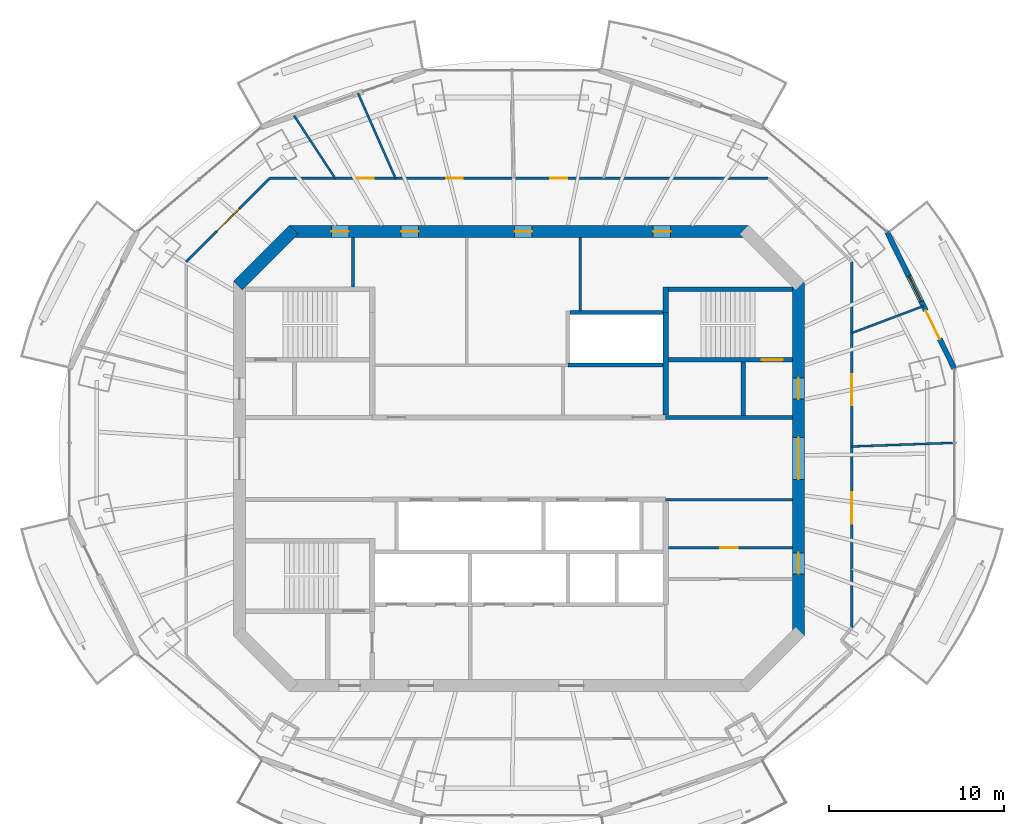
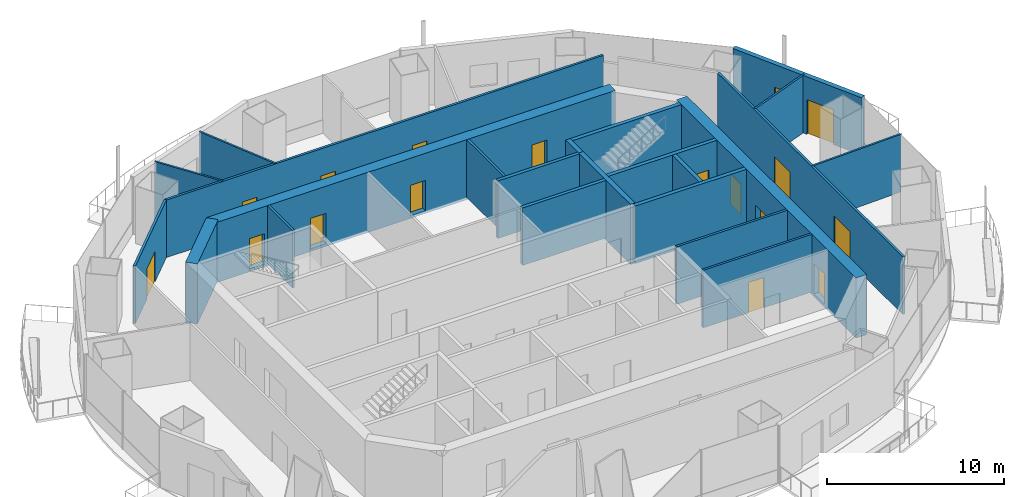
# One storey, part 10 of 16: 23 walls, 16 doors, 1 window, 17 openings.
"""IFC4 building model written with IfcOpenShell, lengths in metres."""

from ifc_helpers import new_model, si_unit, direction, frame, frame_2d, origin, place, context, subcontext, project, spatial, rectangle, extrude, material, layer, layer_set, type_object, element, fill, save


model = new_model("IFC4")

# Units and contexts
model_context = context("Model", 3, precision=1e-05, world=origin(), true_north=direction((0.0, 1.0)))
body_context = subcontext(model_context, "Body", "Model", "MODEL_VIEW")
ifc_project = project(units=[si_unit("LENGTHUNIT", "METRE"), si_unit("AREAUNIT", "SQUARE_METRE"), si_unit("VOLUMEUNIT", "CUBIC_METRE"), si_unit("PLANEANGLEUNIT", "RADIAN"), si_unit("MASSUNIT", "GRAM", prefix="KILO")], contexts=[model_context])

# Site, building, storey
site_placement = place(None, origin())
site = spatial("IfcSite", under=ifc_project, at=site_placement, CompositionType="ELEMENT")
building_placement = place(site_placement, origin())
building = spatial("IfcBuilding", under=site, at=building_placement, Name="Marenthal Gate Tower", CompositionType="ELEMENT")
storey_placement = place(building_placement, frame((0.0, 0.0, 379.949951171875)))
storey = spatial("IfcBuildingStorey", under=building, at=storey_placement, Name="L86", CompositionType="ELEMENT", Elevation=379.949951171875)

# Wall, openings, doors
ifc_material_1 = material(Name="Concrete 60 MPa", Category="concrete")
ifc_layer_1 = layer(ifc_material_1, 0.699951171875)
ifc_layer_set_1 = layer_set([ifc_layer_1], Name="Core shear wall 700")
wall_type_1 = type_object("IfcWallType", Name="Core shear wall 700", PredefinedType="SHEAR", material=ifc_layer_set_1)
wall_1_placement = place(storey_placement, frame((16.0, -10.14501953125, -0.179931640625), z_axis=(0.0, 0.0, 1.0), x_axis=(0.0, 1.0, 0.0)))
wall_1 = element("IfcWall", 1, at=wall_1_placement, inside=storey, type_object=wall_type_1, Name="Core wall 02", PredefinedType="SHEAR", context=body_context, shape_type="SweptSolid", body=[
    extrude(rectangle(XDim=20.2900390625, YDim=0.699951171875, at=frame_2d((10.14501953125, 0.0))), origin(), (0.0, 0.0, 1.0), 4.14990234375),
])
opening_1_placement = place(wall_1_placement, frame((8.945068359375, 0.0, 0.179931640625)))
opening_1 = element("IfcOpeningElement", 2, at=opening_1_placement, cuts=wall_1, Name="Opening D003.02", PredefinedType="OPENING", context=body_context, shape_type="SweptSolid", body=[
    extrude(rectangle(XDim=2.39990234375, YDim=2.10009765625, at=frame_2d((1.199951171875, 1.050048828125))), frame((0.0, 0.35986328125, 0.0), z_axis=(0.0, -1.0, 0.0), x_axis=(1.0, 0.0, 0.0)), (0.0, 0.0, 1.0), 0.719970703125),
])
opening_2_placement = place(wall_1_placement, frame((13.544921875, 0.0, 0.179931640625)))
opening_2 = element("IfcOpeningElement", 3, at=opening_2_placement, cuts=wall_1, Name="Opening D001.05", PredefinedType="OPENING", context=body_context, shape_type="SweptSolid", body=[
    extrude(rectangle(XDim=1.199951171875, YDim=2.10009765625, at=frame_2d((0.60009765625, 1.050048828125))), frame((0.0, 0.35986328125, 0.0), z_axis=(0.0, -1.0, 0.0), x_axis=(1.0, 0.0, 0.0)), (0.0, 0.0, 1.0), 0.719970703125),
])
opening_3_placement = place(wall_1_placement, frame((3.544921875, 0.0, 0.179931640625)))
opening_3 = element("IfcOpeningElement", 4, at=opening_3_placement, cuts=wall_1, Name="Opening D006.01", PredefinedType="OPENING", context=body_context, shape_type="SweptSolid", body=[
    extrude(rectangle(XDim=1.199951171875, YDim=2.10009765625, at=frame_2d((0.60009765625, 1.050048828125))), frame((0.0, 0.35986328125, 0.0), z_axis=(0.0, -1.0, 0.0), x_axis=(1.0, 0.0, 0.0)), (0.0, 0.0, 1.0), 0.719970703125),
])
ifc_material_2 = material(Name="Steel fire door", Category="steel")
door_type_1 = type_object("IfcDoorType", Name="Double fire door FD 45 2400 x 2100", OperationType="DOUBLE_DOOR_SINGLE_SWING", PredefinedType="DOOR", material=ifc_material_2)
door_1_placement = place(opening_1_placement, origin())
door_1 = element("IfcDoor", 5, at=door_1_placement, inside=storey, type_object=door_type_1, Name="Door D003.02", OperationType="DOUBLE_DOOR_SINGLE_SWING", OverallHeight=2.10009765625, OverallWidth=2.39990234375, PredefinedType="DOOR", context=body_context, shape_type="SweptSolid", body=[
    extrude(rectangle(XDim=2.39990234375, YDim=2.10009765625, at=frame_2d((1.199951171875, 1.050048828125))), frame((0.0, 0.02490234375, 0.0), z_axis=(0.0, -1.0, 0.0), x_axis=(1.0, 0.0, 0.0)), (0.0, 0.0, 1.0), 0.050048828125),
])
fill(opening_1, door_1)
ifc_material_3 = material(Name="Steel fire door", Category="steel")
door_type_2 = type_object("IfcDoorType", Name="Fire door FD 45 1200 x 2100", OperationType="NOTDEFINED", PredefinedType="DOOR", material=ifc_material_3)
door_2_placement = place(opening_3_placement, origin())
door_2 = element("IfcDoor", 6, at=door_2_placement, inside=storey, type_object=door_type_2, Name="Door D006.01", OperationType="SINGLE_SWING_RIGHT", OverallHeight=2.10009765625, OverallWidth=1.199951171875, PredefinedType="DOOR", context=body_context, shape_type="SweptSolid", body=[
    extrude(rectangle(XDim=1.199951171875, YDim=2.10009765625, at=frame_2d((0.60009765625, 1.050048828125))), frame((0.0, 0.02490234375, 0.0), z_axis=(0.0, -1.0, 0.0), x_axis=(1.0, 0.0, 0.0)), (0.0, 0.0, 1.0), 0.050048828125),
])
fill(opening_3, door_2)
ifc_material_4 = material(Name="Steel fire door", Category="steel")
door_type_3 = type_object("IfcDoorType", Name="Fire door FD 90 1200 x 2100", OperationType="NOTDEFINED", PredefinedType="DOOR", material=ifc_material_4)
door_3_placement = place(opening_2_placement, origin())
door_3 = element("IfcDoor", 7, at=door_3_placement, inside=storey, type_object=door_type_3, Name="Door D001.05", OperationType="SINGLE_SWING_RIGHT", OverallHeight=2.10009765625, OverallWidth=1.199951171875, PredefinedType="DOOR", context=body_context, shape_type="SweptSolid", body=[
    extrude(rectangle(XDim=1.199951171875, YDim=2.10009765625, at=frame_2d((0.60009765625, 1.050048828125))), frame((0.0, 0.02490234375, 0.0), z_axis=(0.0, -1.0, 0.0), x_axis=(1.0, 0.0, 0.0)), (0.0, 0.0, 1.0), 0.050048828125),
])
fill(opening_2, door_3)

wall_2_placement = place(storey_placement, frame((13.14501953125, 13.0, -0.179931640625), z_axis=(0.0, 0.0, 1.0), x_axis=(-1.0, 0.0, 0.0)))
wall_2 = element("IfcWall", 8, at=wall_2_placement, inside=storey, type_object=wall_type_1, Name="Core wall 04", PredefinedType="SHEAR", context=body_context, shape_type="SweptSolid", body=[
    extrude(rectangle(XDim=26.2900390625, YDim=0.699951171875, at=frame_2d((13.14501953125, 0.0))), origin(), (0.0, 0.0, 1.0), 4.14990234375),
])
opening_4_placement = place(wall_2_placement, frame((22.889892578125, 0.0, 0.179931640625)))
opening_4 = element("IfcOpeningElement", 9, at=opening_4_placement, cuts=wall_2, Name="Opening D005.03", PredefinedType="OPENING", context=body_context, shape_type="SweptSolid", body=[
    extrude(rectangle(XDim=1.0, YDim=2.10009765625, at=frame_2d((0.5, 1.050048828125))), frame((0.0, 0.35986328125, 0.0), z_axis=(0.0, -1.0, 0.0), x_axis=(1.0, 0.0, 0.0)), (0.0, 0.0, 1.0), 0.719970703125),
])
opening_5_placement = place(wall_2_placement, frame((18.89501953125, 0.0, 0.179931640625)))
opening_5 = element("IfcOpeningElement", 10, at=opening_5_placement, cuts=wall_2, Name="Opening D005.04", PredefinedType="OPENING", context=body_context, shape_type="SweptSolid", body=[
    extrude(rectangle(XDim=1.0, YDim=2.10009765625, at=frame_2d((0.5, 1.050048828125))), frame((0.0, 0.35986328125, 0.0), z_axis=(0.0, -1.0, 0.0), x_axis=(1.0, 0.0, 0.0)), (0.0, 0.0, 1.0), 0.719970703125),
])
opening_6_placement = place(wall_2_placement, frame((12.39501953125, 0.0, 0.179931640625)))
opening_6 = element("IfcOpeningElement", 11, at=opening_6_placement, cuts=wall_2, Name="Opening D005.05", PredefinedType="OPENING", context=body_context, shape_type="SweptSolid", body=[
    extrude(rectangle(XDim=1.0, YDim=2.10009765625, at=frame_2d((0.5, 1.050048828125))), frame((0.0, 0.35986328125, 0.0), z_axis=(0.0, -1.0, 0.0), x_axis=(1.0, 0.0, 0.0)), (0.0, 0.0, 1.0), 0.719970703125),
])
opening_7_placement = place(wall_2_placement, frame((4.46728515625, 0.0, 0.179931640625)))
opening_7 = element("IfcOpeningElement", 12, at=opening_7_placement, cuts=wall_2, Name="Opening D005.06", PredefinedType="OPENING", context=body_context, shape_type="SweptSolid", body=[
    extrude(rectangle(XDim=1.0, YDim=2.10009765625, at=frame_2d((0.5, 1.050048828125))), frame((0.0, 0.35986328125, 0.0), z_axis=(0.0, -1.0, 0.0), x_axis=(1.0, 0.0, 0.0)), (0.0, 0.0, 1.0), 0.719970703125),
])
ifc_material_5 = material(Name="Steel fire door", Category="steel")
door_type_4 = type_object("IfcDoorType", Name="Fire door FD 45 1000 x 2100", OperationType="NOTDEFINED", PredefinedType="DOOR", material=ifc_material_5)
door_4_placement = place(opening_4_placement, origin())
door_4 = element("IfcDoor", 13, at=door_4_placement, inside=storey, type_object=door_type_4, Name="Door D005.03", OperationType="SINGLE_SWING_RIGHT", OverallHeight=2.10009765625, OverallWidth=1.0, PredefinedType="DOOR", context=body_context, shape_type="SweptSolid", body=[
    extrude(rectangle(XDim=1.0, YDim=2.10009765625, at=frame_2d((0.5, 1.050048828125))), frame((0.0, 0.02490234375, 0.0), z_axis=(0.0, -1.0, 0.0), x_axis=(1.0, 0.0, 0.0)), (0.0, 0.0, 1.0), 0.050048828125),
])
fill(opening_4, door_4)
door_5_placement = place(opening_5_placement, origin())
door_5 = element("IfcDoor", 14, at=door_5_placement, inside=storey, type_object=door_type_4, Name="Door D005.04", OperationType="SINGLE_SWING_RIGHT", OverallHeight=2.10009765625, OverallWidth=1.0, PredefinedType="DOOR", context=body_context, shape_type="SweptSolid", body=[
    extrude(rectangle(XDim=1.0, YDim=2.10009765625, at=frame_2d((0.5, 1.050048828125))), frame((0.0, 0.02490234375, 0.0), z_axis=(0.0, -1.0, 0.0), x_axis=(1.0, 0.0, 0.0)), (0.0, 0.0, 1.0), 0.050048828125),
])
fill(opening_5, door_5)
door_6_placement = place(opening_6_placement, origin())
door_6 = element("IfcDoor", 15, at=door_6_placement, inside=storey, type_object=door_type_4, Name="Door D005.05", OperationType="SINGLE_SWING_RIGHT", OverallHeight=2.10009765625, OverallWidth=1.0, PredefinedType="DOOR", context=body_context, shape_type="SweptSolid", body=[
    extrude(rectangle(XDim=1.0, YDim=2.10009765625, at=frame_2d((0.5, 1.050048828125))), frame((0.0, 0.02490234375, 0.0), z_axis=(0.0, -1.0, 0.0), x_axis=(1.0, 0.0, 0.0)), (0.0, 0.0, 1.0), 0.050048828125),
])
fill(opening_6, door_6)
door_7_placement = place(opening_7_placement, origin())
door_7 = element("IfcDoor", 16, at=door_7_placement, inside=storey, type_object=door_type_4, Name="Door D005.06", OperationType="SINGLE_SWING_RIGHT", OverallHeight=2.10009765625, OverallWidth=1.0, PredefinedType="DOOR", context=body_context, shape_type="SweptSolid", body=[
    extrude(rectangle(XDim=1.0, YDim=2.10009765625, at=frame_2d((0.5, 1.050048828125))), frame((0.0, 0.02490234375, 0.0), z_axis=(0.0, -1.0, 0.0), x_axis=(1.0, 0.0, 0.0)), (0.0, 0.0, 1.0), 0.050048828125),
])
fill(opening_7, door_7)

# Walls
wall_3_placement = place(storey_placement, frame((-12.8974609375, 13.1025390625, -0.179931640625), z_axis=(0.0, 0.0, 1.0), x_axis=(-0.707106781187, -0.707106781187, 0.0)))
element("IfcWall", 17, at=wall_3_placement, inside=storey, type_object=wall_type_1, Name="Core wall 05", PredefinedType="SHEAR", context=body_context, shape_type="SweptSolid", body=[
    extrude(rectangle(XDim=4.53271484375, YDim=0.699951171875, at=frame_2d((2.266357421875, 0.0))), origin(), (0.0, 0.0, 1.0), 4.14990234375),
])
ifc_material_6 = material(Name="Concrete 50 MPa", Category="concrete")
ifc_layer_2 = layer(ifc_material_6, 0.300048828125)
ifc_layer_set_2 = layer_set([ifc_layer_2], Name="Hoistway shear wall 300")
wall_type_2 = type_object("IfcWallType", Name="Hoistway shear wall 300", PredefinedType="SHEAR", material=ifc_layer_set_2)
wall_4_placement = place(storey_placement, frame((8.39990234375, 2.5, -0.179931640625), z_axis=(0.0, 0.0, 1.0), x_axis=(0.0, 1.0, 0.0)))
element("IfcWall", 18, at=wall_4_placement, inside=storey, type_object=wall_type_2, Name="Hoistway wall 49", PredefinedType="SHEAR", context=body_context, shape_type="SweptSolid", body=[
    extrude(rectangle(XDim=5.85009765625, YDim=0.300048828125, at=frame_2d((2.925048828125, 0.0))), origin(), (0.0, 0.0, 1.0), 4.14990234375),
])
ifc_material_7 = material(Name="Concrete 40 MPa", Category="concrete")
ifc_layer_3 = layer(ifc_material_7, 0.219970703125)
ifc_layer_set_3 = layer_set([ifc_layer_3], Name="Hoistway wall 220")
wall_type_3 = type_object("IfcWallType", Name="Hoistway wall 220", PredefinedType="STANDARD", material=ifc_layer_set_3)
wall_5_placement = place(storey_placement, frame((2.800048828125, 5.35009765625, 0.0), z_axis=(0.0, 0.0, 1.0), x_axis=(1.0, 0.0, 0.0)))
element("IfcWall", 19, at=wall_5_placement, inside=storey, type_object=wall_type_3, Name="Hoistway wall 23", PredefinedType="STANDARD", context=body_context, shape_type="SweptSolid", body=[
    extrude(rectangle(XDim=5.449951171875, YDim=0.219970703125, at=frame_2d((2.72509765625, 0.0))), origin(), (0.0, 0.0, 1.0), 3.969970703125),
])
wall_6_placement = place(storey_placement, frame((2.909912109375, 8.35009765625, 0.0), z_axis=(0.0, 0.0, 1.0), x_axis=(1.0, 0.0, 0.0)))
element("IfcWall", 20, at=wall_6_placement, inside=storey, type_object=wall_type_3, Name="Hoistway wall 26", PredefinedType="STANDARD", context=body_context, shape_type="SweptSolid", body=[
    extrude(rectangle(XDim=5.340087890625, YDim=0.219970703125, at=frame_2d((2.669921875, 0.0))), origin(), (0.0, 0.0, 1.0), 3.969970703125),
])
ifc_material_8 = material(Name="Gypsum board on steel studs", Category="steel")
ifc_layer_4 = layer(ifc_material_8, 0.1201171875)
ifc_layer_set_4 = layer_set([ifc_layer_4], Name="Partition 120")
wall_type_4 = type_object("IfcWallType", Name="Partition 120", PredefinedType="PARTITIONING", material=ifc_layer_set_4)
wall_7_placement = place(storey_placement, frame((-10.527587890625, 16.050048828125, 0.0), z_axis=(0.0, 0.0, 1.0), x_axis=(-0.548477171189, 0.836165529477, 0.0)))
element("IfcWall", 21, at=wall_7_placement, inside=storey, type_object=wall_type_4, Name="Partition wall 60", PredefinedType="PARTITIONING", context=body_context, shape_type="SweptSolid", body=[
    extrude(rectangle(XDim=4.283935546875, YDim=0.1201171875, at=frame_2d((2.14208984375, 0.0))), origin(), (0.0, 0.0, 1.0), 3.969970703125),
])
wall_8_placement = place(storey_placement, frame((-7.07275390625, 16.050048828125, 0.0), z_axis=(0.0, 0.0, 1.0), x_axis=(-0.403253099631, 0.915088486234, 0.0)))
element("IfcWall", 22, at=wall_8_placement, inside=storey, type_object=wall_type_4, Name="Partition wall 61", PredefinedType="PARTITIONING", context=body_context, shape_type="SweptSolid", body=[
    extrude(rectangle(XDim=5.310791015625, YDim=0.1201171875, at=frame_2d((2.6552734375, 0.0))), origin(), (0.0, 0.0, 1.0), 3.969970703125),
])
wall_9_placement = place(storey_placement, frame((19.050048828125, 0.687744140625, 0.0), z_axis=(0.0, 0.0, 1.0), x_axis=(0.999348759749, 0.036084018458, 0.0)))
element("IfcWall", 23, at=wall_9_placement, inside=storey, type_object=wall_type_4, Name="Partition wall 74", PredefinedType="PARTITIONING", context=body_context, shape_type="SweptSolid", body=[
    extrude(rectangle(XDim=5.879638671875, YDim=0.1201171875, at=frame_2d((2.93994140625, 0.0))), origin(), (0.0, 0.0, 1.0), 3.969970703125),
])
wall_10_placement = place(storey_placement, frame((19.050048828125, 7.181884765625, 0.0), z_axis=(0.0, 0.0, 1.0), x_axis=(0.935715632494, 0.352755233989, 0.0)))
element("IfcWall", 24, at=wall_10_placement, inside=storey, type_object=wall_type_4, Name="Partition wall 75", PredefinedType="PARTITIONING", context=body_context, shape_type="SweptSolid", body=[
    extrude(rectangle(XDim=4.392822265625, YDim=0.1201171875, at=frame_2d((2.1962890625, 0.0))), origin(), (0.0, 0.0, 1.0), 3.969970703125),
])

# Wall, opening, door
ifc_material_9 = material(Name="Gypsum board on steel studs", Category="steel")
ifc_layer_5 = layer(ifc_material_9, 0.14990234375)
ifc_layer_set_5 = layer_set([ifc_layer_5], Name="Partition 150")
wall_type_5 = type_object("IfcWallType", Name="Partition 150", PredefinedType="PARTITIONING", material=ifc_layer_set_5)
wall_11_placement = place(storey_placement, frame((8.550048828125, -5.10009765625, 0.0), z_axis=(0.0, 0.0, 1.0), x_axis=(1.0, 0.0, 0.0)))
wall_11 = element("IfcWall", 25, at=wall_11_placement, inside=storey, type_object=wall_type_5, Name="Partition wall 14", PredefinedType="PARTITIONING", context=body_context, shape_type="SweptSolid", body=[
    extrude(rectangle(XDim=7.099853515625, YDim=0.14990234375, at=frame_2d((3.5498046875, 0.0))), origin(), (0.0, 0.0, 1.0), 3.969970703125),
])
opening_8_placement = place(wall_11_placement, frame((2.97509765625, 0.0, 0.0)))
opening_8 = element("IfcOpeningElement", 26, at=opening_8_placement, cuts=wall_11, Name="Opening D005.07", PredefinedType="OPENING", context=body_context, shape_type="SweptSolid", body=[
    extrude(rectangle(XDim=1.0, YDim=2.10009765625, at=frame_2d((0.5, 1.050048828125))), frame((0.0, 0.0849609375, 0.0), z_axis=(0.0, -1.0, 0.0), x_axis=(1.0, 0.0, 0.0)), (0.0, 0.0, 1.0), 0.169921875),
])
door_8_placement = place(opening_8_placement, origin())
door_8 = element("IfcDoor", 27, at=door_8_placement, inside=storey, type_object=door_type_4, Name="Door D005.07", OperationType="SINGLE_SWING_RIGHT", OverallHeight=2.10009765625, OverallWidth=1.0, PredefinedType="DOOR", context=body_context, shape_type="SweptSolid", body=[
    extrude(rectangle(XDim=1.0, YDim=2.10009765625, at=frame_2d((0.5, 1.050048828125))), frame((0.0, 0.02490234375, 0.0), z_axis=(0.0, -1.0, 0.0), x_axis=(1.0, 0.0, 0.0)), (0.0, 0.0, 1.0), 0.050048828125),
])
fill(opening_8, door_8)

# Walls
wall_12_placement = place(storey_placement, frame((8.39990234375, -2.35009765625, 0.0), z_axis=(0.0, 0.0, 1.0), x_axis=(1.0, 0.0, 0.0)))
element("IfcWall", 28, at=wall_12_placement, inside=storey, type_object=wall_type_5, Name="Partition wall 18", PredefinedType="PARTITIONING", context=body_context, shape_type="SweptSolid", body=[
    extrude(rectangle(XDim=7.25, YDim=0.14990234375, at=frame_2d((3.625, 0.0))), origin(), (0.0, 0.0, 1.0), 3.969970703125),
])
wall_13_placement = place(storey_placement, frame((-9.5, 9.824951171875, 0.0), z_axis=(0.0, 0.0, 1.0), x_axis=(0.0, 1.0, 0.0)))
element("IfcWall", 29, at=wall_13_placement, inside=storey, type_object=wall_type_5, Name="Partition wall 31", PredefinedType="PARTITIONING", context=body_context, shape_type="SweptSolid", body=[
    extrude(rectangle(XDim=2.824951171875, YDim=0.14990234375, at=frame_2d((1.41259765625, 0.0))), origin(), (0.0, 0.0, 1.0), 3.969970703125),
])
wall_14_placement = place(storey_placement, frame((3.5, 8.4599609375, 0.0), z_axis=(0.0, 0.0, 1.0), x_axis=(0.0, 1.0, 0.0)))
element("IfcWall", 30, at=wall_14_placement, inside=storey, type_object=wall_type_5, Name="Partition wall 44", PredefinedType="PARTITIONING", context=body_context, shape_type="SweptSolid", body=[
    extrude(rectangle(XDim=4.18994140625, YDim=0.14990234375, at=frame_2d((2.094970703125, 0.0))), origin(), (0.0, 0.0, 1.0), 3.969970703125),
])

# Wall, opening, door
wall_15_placement = place(storey_placement, frame((-19.050048828125, 11.263427734375, 0.0), z_axis=(0.0, 0.0, 1.0), x_axis=(0.707106781187, 0.707106781187, 0.0)))
wall_15 = element("IfcWall", 31, at=wall_15_placement, inside=storey, type_object=wall_type_5, Name="Partition wall 54", PredefinedType="PARTITIONING", context=body_context, shape_type="SweptSolid", body=[
    extrude(rectangle(XDim=6.769287109375, YDim=0.14990234375, at=frame_2d((3.384765625, 0.0))), origin(), (0.0, 0.0, 1.0), 3.969970703125),
])
opening_9_placement = place(wall_15_placement, frame((2.485107421875, 0.0, 0.0)))
opening_9 = element("IfcOpeningElement", 32, at=opening_9_placement, cuts=wall_15, Name="Opening D014.02", PredefinedType="OPENING", context=body_context, shape_type="SweptSolid", body=[
    extrude(rectangle(XDim=1.800048828125, YDim=2.10009765625, at=frame_2d((0.89990234375, 1.050048828125))), frame((0.0, 0.0849609375, 0.0), z_axis=(0.0, -1.0, 0.0), x_axis=(1.0, 0.0, 0.0)), (0.0, 0.0, 1.0), 0.169921875),
])
ifc_material_10 = material(Name="Timber door", Category="wood")
door_type_5 = type_object("IfcDoorType", Name="Double door 1800 x 2100", OperationType="DOUBLE_DOOR_SINGLE_SWING", PredefinedType="DOOR", material=ifc_material_10)
door_9_placement = place(opening_9_placement, origin())
door_9 = element("IfcDoor", 33, at=door_9_placement, inside=storey, type_object=door_type_5, Name="Door D014.02", OperationType="DOUBLE_DOOR_SINGLE_SWING", OverallHeight=2.10009765625, OverallWidth=1.800048828125, PredefinedType="DOOR", context=body_context, shape_type="SweptSolid", body=[
    extrude(rectangle(XDim=1.800048828125, YDim=2.10009765625, at=frame_2d((0.89990234375, 1.050048828125))), frame((0.0, 0.02490234375, 0.0), z_axis=(0.0, -1.0, 0.0), x_axis=(1.0, 0.0, 0.0)), (0.0, 0.0, 1.0), 0.050048828125),
])
fill(opening_9, door_9)

# Wall, openings, doors
wall_16_placement = place(storey_placement, frame((-14.263427734375, 16.050048828125, 0.0), z_axis=(0.0, 0.0, 1.0), x_axis=(1.0, 0.0, 0.0)))
wall_16 = element("IfcWall", 34, at=wall_16_placement, inside=storey, type_object=wall_type_5, Name="Partition wall 56", PredefinedType="PARTITIONING", context=body_context, shape_type="SweptSolid", body=[
    extrude(rectangle(XDim=28.52685546875, YDim=0.14990234375, at=frame_2d((14.263427734375, 0.0))), origin(), (0.0, 0.0, 1.0), 3.969970703125),
])
opening_10_placement = place(wall_16_placement, frame((16.06396484375, 0.0, 0.0)))
opening_10 = element("IfcOpeningElement", 35, at=opening_10_placement, cuts=wall_16, Name="Opening D016.02", PredefinedType="OPENING", context=body_context, shape_type="SweptSolid", body=[
    extrude(rectangle(XDim=0.949951171875, YDim=2.10009765625, at=frame_2d((0.47509765625, 1.050048828125))), frame((0.0, 0.0849609375, 0.0), z_axis=(0.0, -1.0, 0.0), x_axis=(1.0, 0.0, 0.0)), (0.0, 0.0, 1.0), 0.169921875),
])
opening_11_placement = place(wall_16_placement, frame((10.10693359375, 0.0, 0.0)))
opening_11 = element("IfcOpeningElement", 36, at=opening_11_placement, cuts=wall_16, Name="Opening D016.03", PredefinedType="OPENING", context=body_context, shape_type="SweptSolid", body=[
    extrude(rectangle(XDim=0.949951171875, YDim=2.10009765625, at=frame_2d((0.47509765625, 1.050048828125))), frame((0.0, 0.0849609375, 0.0), z_axis=(0.0, -1.0, 0.0), x_axis=(1.0, 0.0, 0.0)), (0.0, 0.0, 1.0), 0.169921875),
])
opening_12_placement = place(wall_16_placement, frame((4.988037109375, 0.0, 0.0)))
opening_12 = element("IfcOpeningElement", 37, at=opening_12_placement, cuts=wall_16, Name="Opening D016.04", PredefinedType="OPENING", context=body_context, shape_type="SweptSolid", body=[
    extrude(rectangle(XDim=0.949951171875, YDim=2.10009765625, at=frame_2d((0.47509765625, 1.050048828125))), frame((0.0, 0.0849609375, 0.0), z_axis=(0.0, -1.0, 0.0), x_axis=(1.0, 0.0, 0.0)), (0.0, 0.0, 1.0), 0.169921875),
])
ifc_material_11 = material(Name="Timber door", Category="wood")
door_type_6 = type_object("IfcDoorType", Name="Door 950 x 2100", OperationType="NOTDEFINED", PredefinedType="DOOR", material=ifc_material_11)
door_10_placement = place(opening_10_placement, origin())
door_10 = element("IfcDoor", 38, at=door_10_placement, inside=storey, type_object=door_type_6, Name="Door D016.02", OperationType="SINGLE_SWING_RIGHT", OverallHeight=2.10009765625, OverallWidth=0.949951171875, PredefinedType="DOOR", context=body_context, shape_type="SweptSolid", body=[
    extrude(rectangle(XDim=0.949951171875, YDim=2.10009765625, at=frame_2d((0.47509765625, 1.050048828125))), frame((0.0, 0.02490234375, 0.0), z_axis=(0.0, -1.0, 0.0), x_axis=(1.0, 0.0, 0.0)), (0.0, 0.0, 1.0), 0.050048828125),
])
fill(opening_10, door_10)
door_11_placement = place(opening_11_placement, origin())
door_11 = element("IfcDoor", 39, at=door_11_placement, inside=storey, type_object=door_type_6, Name="Door D016.03", OperationType="SINGLE_SWING_RIGHT", OverallHeight=2.10009765625, OverallWidth=0.949951171875, PredefinedType="DOOR", context=body_context, shape_type="SweptSolid", body=[
    extrude(rectangle(XDim=0.949951171875, YDim=2.10009765625, at=frame_2d((0.47509765625, 1.050048828125))), frame((0.0, 0.02490234375, 0.0), z_axis=(0.0, -1.0, 0.0), x_axis=(1.0, 0.0, 0.0)), (0.0, 0.0, 1.0), 0.050048828125),
])
fill(opening_11, door_11)
door_12_placement = place(opening_12_placement, origin())
door_12 = element("IfcDoor", 40, at=door_12_placement, inside=storey, type_object=door_type_6, Name="Door D016.04", OperationType="SINGLE_SWING_RIGHT", OverallHeight=2.10009765625, OverallWidth=0.949951171875, PredefinedType="DOOR", context=body_context, shape_type="SweptSolid", body=[
    extrude(rectangle(XDim=0.949951171875, YDim=2.10009765625, at=frame_2d((0.47509765625, 1.050048828125))), frame((0.0, 0.02490234375, 0.0), z_axis=(0.0, -1.0, 0.0), x_axis=(1.0, 0.0, 0.0)), (0.0, 0.0, 1.0), 0.050048828125),
])
fill(opening_12, door_12)

wall_17_placement = place(storey_placement, frame((19.050048828125, 11.263427734375, 0.0), z_axis=(0.0, 0.0, 1.0), x_axis=(0.0, -1.0, 0.0)))
wall_17 = element("IfcWall", 41, at=wall_17_placement, inside=storey, type_object=wall_type_5, Name="Partition wall 76", PredefinedType="PARTITIONING", context=body_context, shape_type="SweptSolid", body=[
    extrude(rectangle(XDim=20.92919921875, YDim=0.14990234375, at=frame_2d((10.464599609375, 0.0))), origin(), (0.0, 0.0, 1.0), 3.969970703125),
])
opening_13_placement = place(wall_17_placement, frame((6.427978515625, 0.0, 0.0)))
opening_13 = element("IfcOpeningElement", 42, at=opening_13_placement, cuts=wall_17, Name="Opening D014.01", PredefinedType="OPENING", context=body_context, shape_type="SweptSolid", body=[
    extrude(rectangle(XDim=1.800048828125, YDim=2.10009765625, at=frame_2d((0.89990234375, 1.050048828125))), frame((0.0, 0.0849609375, 0.0), z_axis=(0.0, -1.0, 0.0), x_axis=(1.0, 0.0, 0.0)), (0.0, 0.0, 1.0), 0.169921875),
])
opening_14_placement = place(wall_17_placement, frame((13.18603515625, 0.0, 0.0)))
opening_14 = element("IfcOpeningElement", 43, at=opening_14_placement, cuts=wall_17, Name="Opening D014.04", PredefinedType="OPENING", context=body_context, shape_type="SweptSolid", body=[
    extrude(rectangle(XDim=1.800048828125, YDim=2.10009765625, at=frame_2d((0.89990234375, 1.050048828125))), frame((0.0, 0.0849609375, 0.0), z_axis=(0.0, -1.0, 0.0), x_axis=(1.0, 0.0, 0.0)), (0.0, 0.0, 1.0), 0.169921875),
])
door_13_placement = place(opening_13_placement, origin())
door_13 = element("IfcDoor", 44, at=door_13_placement, inside=storey, type_object=door_type_5, Name="Door D014.01", OperationType="DOUBLE_DOOR_SINGLE_SWING", OverallHeight=2.10009765625, OverallWidth=1.800048828125, PredefinedType="DOOR", context=body_context, shape_type="SweptSolid", body=[
    extrude(rectangle(XDim=1.800048828125, YDim=2.10009765625, at=frame_2d((0.89990234375, 1.050048828125))), frame((0.0, 0.02490234375, 0.0), z_axis=(0.0, -1.0, 0.0), x_axis=(1.0, 0.0, 0.0)), (0.0, 0.0, 1.0), 0.050048828125),
])
fill(opening_13, door_13)
door_14_placement = place(opening_14_placement, origin())
door_14 = element("IfcDoor", 45, at=door_14_placement, inside=storey, type_object=door_type_5, Name="Door D014.04", OperationType="DOUBLE_DOOR_SINGLE_SWING", OverallHeight=2.10009765625, OverallWidth=1.800048828125, PredefinedType="DOOR", context=body_context, shape_type="SweptSolid", body=[
    extrude(rectangle(XDim=1.800048828125, YDim=2.10009765625, at=frame_2d((0.89990234375, 1.050048828125))), frame((0.0, 0.02490234375, 0.0), z_axis=(0.0, -1.0, 0.0), x_axis=(1.0, 0.0, 0.0)), (0.0, 0.0, 1.0), 0.050048828125),
])
fill(opening_14, door_14)

# Walls
ifc_material_12 = material(Name="Concrete 40 MPa", Category="concrete")
ifc_layer_6 = layer(ifc_material_12, 0.25)
ifc_layer_set_6 = layer_set([ifc_layer_6], Name="Stair enclosure wall 250")
wall_type_6 = type_object("IfcWallType", Name="Stair enclosure wall 250", PredefinedType="STANDARD", material=ifc_layer_set_6)
wall_18_placement = place(storey_placement, frame((8.39990234375, 2.35009765625, 0.0), z_axis=(0.0, 0.0, 1.0), x_axis=(1.0, 0.0, 0.0)))
element("IfcWall", 46, at=wall_18_placement, inside=storey, type_object=wall_type_6, Name="Stair wall 21", PredefinedType="STANDARD", context=body_context, shape_type="SweptSolid", body=[
    extrude(rectangle(XDim=7.25, YDim=0.25, at=frame_2d((3.625, 0.0))), origin(), (0.0, 0.0, 1.0), 3.969970703125),
])
wall_19_placement = place(storey_placement, frame((12.85009765625, 2.47509765625, 0.0), z_axis=(0.0, 0.0, 1.0), x_axis=(0.0, 1.0, 0.0)))
element("IfcWall", 47, at=wall_19_placement, inside=storey, type_object=wall_type_6, Name="Stair wall 51", PredefinedType="STANDARD", context=body_context, shape_type="SweptSolid", body=[
    extrude(rectangle(XDim=3.0498046875, YDim=0.25, at=frame_2d((1.52490234375, 0.0))), origin(), (0.0, 0.0, 1.0), 3.969970703125),
])

# Wall, opening, door
ifc_material_13 = material(Name="Concrete 50 MPa", Category="concrete")
ifc_layer_7 = layer(ifc_material_13, 0.25)
ifc_layer_set_7 = layer_set([ifc_layer_7], Name="Stair shear wall 250")
wall_type_7 = type_object("IfcWallType", Name="Stair shear wall 250", PredefinedType="SHEAR", material=ifc_layer_set_7)
wall_20_placement = place(storey_placement, frame((8.550048828125, 5.64990234375, -0.179931640625), z_axis=(0.0, 0.0, 1.0), x_axis=(1.0, 0.0, 0.0)))
wall_20 = element("IfcWall", 48, at=wall_20_placement, inside=storey, type_object=wall_type_7, Name="Stair wall 25", PredefinedType="SHEAR", context=body_context, shape_type="SweptSolid", body=[
    extrude(rectangle(XDim=7.099853515625, YDim=0.25, at=frame_2d((3.5498046875, 0.0))), origin(), (0.0, 0.0, 1.0), 4.14990234375),
])
opening_15_placement = place(wall_20_placement, frame((5.35009765625, 0.0, 0.179931640625)))
opening_15 = element("IfcOpeningElement", 49, at=opening_15_placement, cuts=wall_20, Name="Opening D001.02", PredefinedType="OPENING", context=body_context, shape_type="SweptSolid", body=[
    extrude(rectangle(XDim=1.199951171875, YDim=2.10009765625, at=frame_2d((0.60009765625, 1.050048828125))), frame((0.0, 0.135009765625, 0.0), z_axis=(0.0, -1.0, 0.0), x_axis=(1.0, 0.0, 0.0)), (0.0, 0.0, 1.0), 0.27001953125),
])
door_15_placement = place(opening_15_placement, origin())
door_15 = element("IfcDoor", 50, at=door_15_placement, inside=storey, type_object=door_type_3, Name="Door D001.02", OperationType="SINGLE_SWING_RIGHT", OverallHeight=2.10009765625, OverallWidth=1.199951171875, PredefinedType="DOOR", context=body_context, shape_type="SweptSolid", body=[
    extrude(rectangle(XDim=1.199951171875, YDim=2.10009765625, at=frame_2d((0.60009765625, 1.050048828125))), frame((0.0, 0.02490234375, 0.0), z_axis=(0.0, -1.0, 0.0), x_axis=(1.0, 0.0, 0.0)), (0.0, 0.0, 1.0), 0.050048828125),
])
fill(opening_15, door_15)

# Walls
wall_21_placement = place(storey_placement, frame((8.550048828125, 9.699951171875, -0.179931640625), z_axis=(0.0, 0.0, 1.0), x_axis=(1.0, 0.0, 0.0)))
element("IfcWall", 51, at=wall_21_placement, inside=storey, type_object=wall_type_7, Name="Stair wall 28", PredefinedType="SHEAR", context=body_context, shape_type="SweptSolid", body=[
    extrude(rectangle(XDim=7.099853515625, YDim=0.25, at=frame_2d((3.5498046875, 0.0))), origin(), (0.0, 0.0, 1.0), 4.14990234375),
])
ifc_material_14 = material(Name="Concrete 50 MPa", Category="concrete")
ifc_layer_8 = layer(ifc_material_14, 0.300048828125)
ifc_layer_set_8 = layer_set([ifc_layer_8], Name="Stair shear wall 300")
wall_type_8 = type_object("IfcWallType", Name="Stair shear wall 300", PredefinedType="SHEAR", material=ifc_layer_set_8)
wall_22_placement = place(storey_placement, frame((8.39990234375, 8.35009765625, -0.179931640625), z_axis=(0.0, 0.0, 1.0), x_axis=(0.0, 1.0, 0.0)))
element("IfcWall", 52, at=wall_22_placement, inside=storey, type_object=wall_type_8, Name="Stair wall 50", PredefinedType="SHEAR", context=body_context, shape_type="SweptSolid", body=[
    extrude(rectangle(XDim=1.474853515625, YDim=0.300048828125, at=frame_2d((0.7373046875, 0.0))), origin(), (0.0, 0.0, 1.0), 4.14990234375),
])

# Wall, openings, door, window
ifc_material_15 = material(Name="Terracotta cladding on insulated concrete-block backing", Category="masonry")
ifc_layer_9 = layer(ifc_material_15, 0.300048828125)
ifc_layer_set_9 = layer_set([ifc_layer_9], Name="Terracotta facade wall 300")
wall_type_9 = type_object("IfcWallType", Name="Terracotta facade wall 300", PredefinedType="SOLIDWALL", material=ifc_layer_set_9)
wall_23_placement = place(storey_placement, frame((24.92578125, 5.14208984375, 0.0), z_axis=(0.0, 0.0, 1.0), x_axis=(-0.441346217757, 0.897336902212, 0.0)))
wall_23 = element("IfcWall", 53, at=wall_23_placement, inside=storey, type_object=wall_type_9, Name="Terracotta facade wall L86 bay 1", PredefinedType="SOLIDWALL", context=body_context, shape_type="SweptSolid", body=[
    extrude(rectangle(XDim=8.735595703125, YDim=0.300048828125, at=frame_2d((4.36767578125, 0.0))), origin(), (0.0, 0.0, 1.0), 3.969970703125),
])
opening_16_placement = place(wall_23_placement, frame((1.89990234375, 0.0, 0.0)))
opening_16 = element("IfcOpeningElement", 54, at=opening_16_placement, cuts=wall_23, Name="Opening BD-L86-01", PredefinedType="OPENING", context=body_context, shape_type="SweptSolid", body=[
    extrude(rectangle(XDim=1.800048828125, YDim=2.39990234375, at=frame_2d((0.89990234375, 1.199951171875))), frame((0.0, 0.16015625, 0.0), z_axis=(0.0, -1.0, 0.0), x_axis=(1.0, 0.0, 0.0)), (0.0, 0.0, 1.0), 0.320068359375),
])
opening_17_placement = place(wall_23_placement, frame((4.300048828125, 0.0, 0.89990234375)))
opening_17 = element("IfcOpeningElement", 55, at=opening_17_placement, cuts=wall_23, Name="Opening WN3-L86-01", PredefinedType="OPENING", context=body_context, shape_type="SweptSolid", body=[
    extrude(rectangle(XDim=1.60009765625, YDim=1.5, at=frame_2d((0.800048828125, 0.75))), frame((0.0, 0.16015625, 0.0), z_axis=(0.0, -1.0, 0.0), x_axis=(1.0, 0.0, 0.0)), (0.0, 0.0, 1.0), 0.320068359375),
])
ifc_material_16 = material(Name="Aluminium and glass", Category="aluminium")
door_type_7 = type_object("IfcDoorType", Name="Balcony door 1800x2400", OperationType="DOUBLE_DOOR_SINGLE_SWING", PredefinedType="DOOR", material=ifc_material_16)
door_16_placement = place(opening_16_placement, origin())
door_16 = element("IfcDoor", 56, at=door_16_placement, inside=storey, type_object=door_type_7, Name="Balcony door L86 bay 1", OperationType="SINGLE_SWING_LEFT", OverallHeight=2.39990234375, OverallWidth=1.800048828125, PredefinedType="DOOR", context=body_context, shape_type="SweptSolid", body=[
    extrude(rectangle(XDim=1.800048828125, YDim=2.39990234375, at=frame_2d((0.89990234375, 1.199951171875))), frame((0.0, 0.02490234375, 0.0), z_axis=(0.0, -1.0, 0.0), x_axis=(1.0, 0.0, 0.0)), (0.0, 0.0, 1.0), 0.050048828125),
])
fill(opening_16, door_16)
ifc_material_17 = material(Name="Aluminium and glass", Category="aluminium")
window_type = type_object("IfcWindowType", Name="Window 1600x1500", PartitioningType="DOUBLE_PANEL_VERTICAL", PredefinedType="WINDOW", material=ifc_material_17)
window_placement = place(opening_17_placement, origin())
window = element("IfcWindow", 57, at=window_placement, inside=storey, type_object=window_type, Name="Window L86 bay 1", OverallHeight=1.5, OverallWidth=1.60009765625, PartitioningType="SINGLE_PANEL", PredefinedType="WINDOW", context=body_context, shape_type="SweptSolid", body=[
    extrude(rectangle(XDim=1.60009765625, YDim=1.5, at=frame_2d((0.800048828125, 0.75))), frame((0.0, 0.030029296875, 0.0), z_axis=(0.0, -1.0, 0.0), x_axis=(1.0, 0.0, 0.0)), (0.0, 0.0, 1.0), 0.06005859375),
])
fill(opening_17, window)

save(model, "model.ifc")
